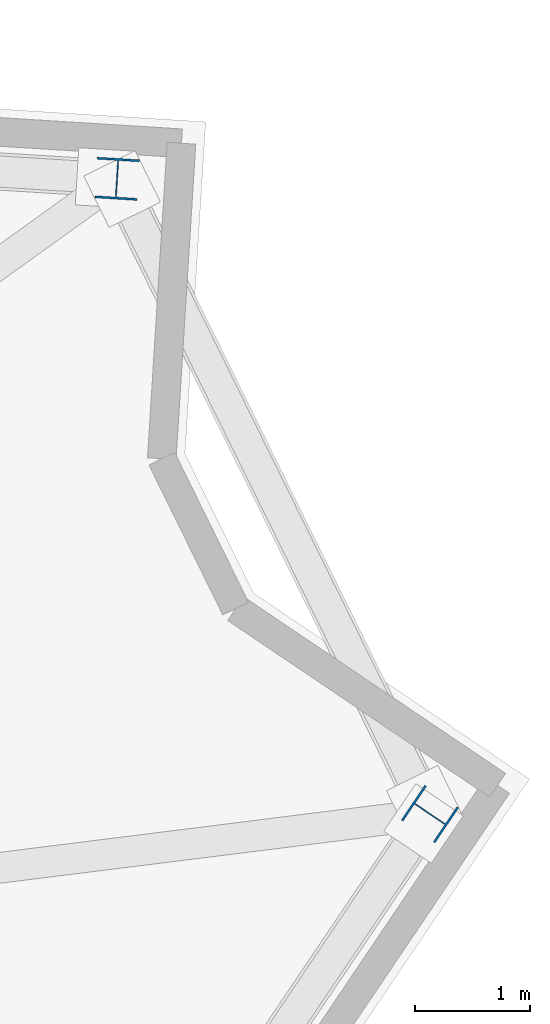
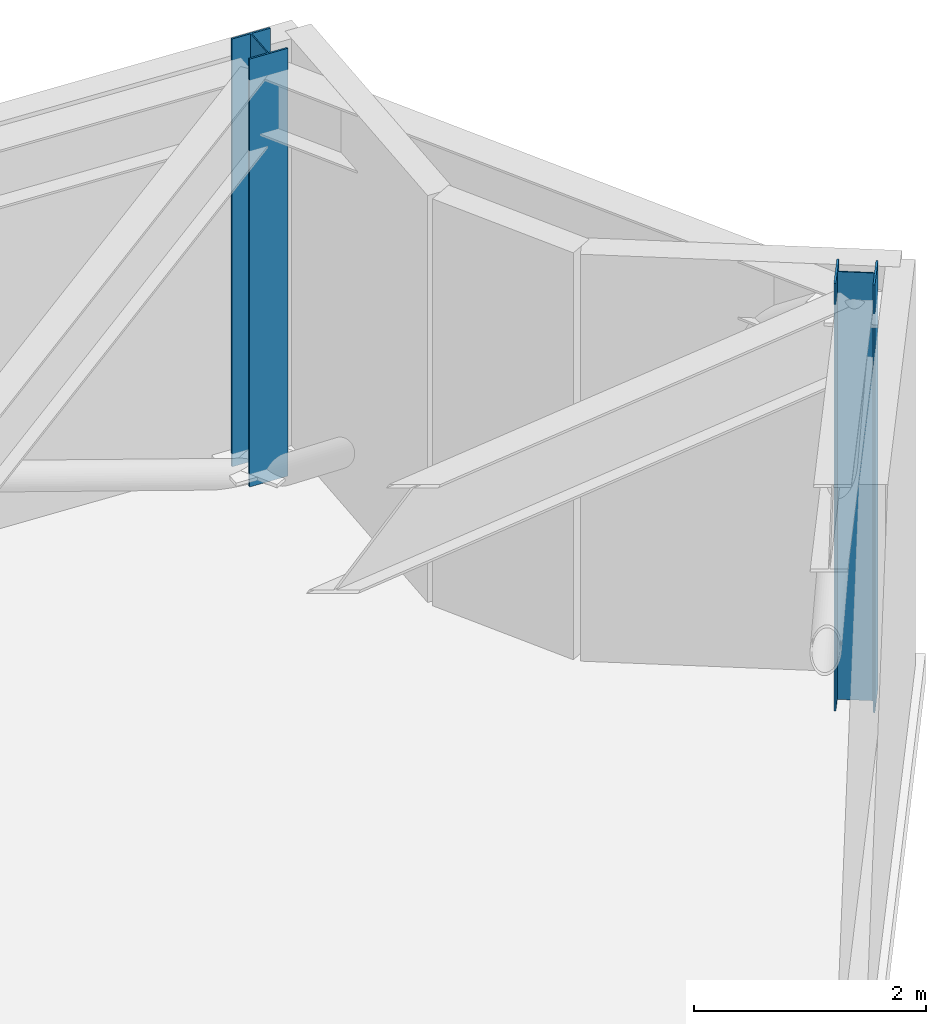
# One storey, part 3 of 11: 2 columns.
"""IFC4 building model written with IfcOpenShell, lengths in metres."""

from ifc_helpers import new_model, si_unit, direction, frame, origin, origin_2d, place, context, subcontext, project, spatial, i_section, extrude, material, material_profile, profile_set, type_object, element, save


model = new_model("IFC4")

# Units and contexts
model_context = context("Model", 3, precision=1e-05, world=origin(), true_north=direction((0.0, 1.0)))
body_context = subcontext(model_context, "Body", "Model", "MODEL_VIEW")
ifc_project = project(units=[si_unit("LENGTHUNIT", "METRE"), si_unit("AREAUNIT", "SQUARE_METRE"), si_unit("VOLUMEUNIT", "CUBIC_METRE"), si_unit("PLANEANGLEUNIT", "RADIAN"), si_unit("MASSUNIT", "GRAM", prefix="KILO")], contexts=[model_context])

# Site, building, storey
site_placement = place(None, origin())
site = spatial("IfcSite", under=ifc_project, at=site_placement, CompositionType="ELEMENT")
building_placement = place(site_placement, origin())
building = spatial("IfcBuilding", under=site, at=building_placement, Name="Apsidion Concourse Tower", CompositionType="ELEMENT")
storey_placement = place(building_placement, frame((0.0, 0.0, 328.0)))
storey = spatial("IfcBuildingStorey", under=building, at=storey_placement, Name="L77", CompositionType="ELEMENT", Elevation=328.0)

# Columns
ifc_material = material(Name="Structural steel ASTM A992 Grade 50", Category="steel")
ifc_material_profile = material_profile(ifc_material, i_section(OverallWidth=0.367919921875, OverallDepth=0.35595703125, WebThickness=0.01123046875, FlangeThickness=0.01806640625, at=origin_2d()), Name="W14X90")
ifc_profile_set = profile_set([ifc_material_profile], Name="Structural steel ASTM A992 Grade 50")
column_type = type_object("IfcColumnType", Name="COL-W14-90", PredefinedType="COLUMN", material=ifc_profile_set)
for number, where, z_axis, x_axis, name in (
    (1, (25.208984375, 8.83251953125, 0.0), (0.0, 0.0, 1.0), (0.559192903471, 0.829037572555, 0.0), "L77 Rotated Perimeter Column PC08"),
    (2, (22.47705078125, 14.378662109375, 0.0), (0.0, 0.0, 1.0), (-0.998081143466, 0.061919553109, 0.0), "L77 Rotated Perimeter Column PC09"),
):
    element("IfcColumn", number, at=place(storey_placement, frame(where, z_axis=z_axis, x_axis=x_axis)), inside=storey, type_object=column_type, Name=name, PredefinedType="COLUMN", context=body_context, shape_type="SweptSolid", body=[
        extrude(i_section(OverallWidth=0.367919921875, OverallDepth=0.35595703125, WebThickness=0.01123046875, FlangeThickness=0.01806640625, at=origin_2d()), origin(), (0.0, 0.0, 1.0), 4.5),
    ])

save(model, "model.ifc")
